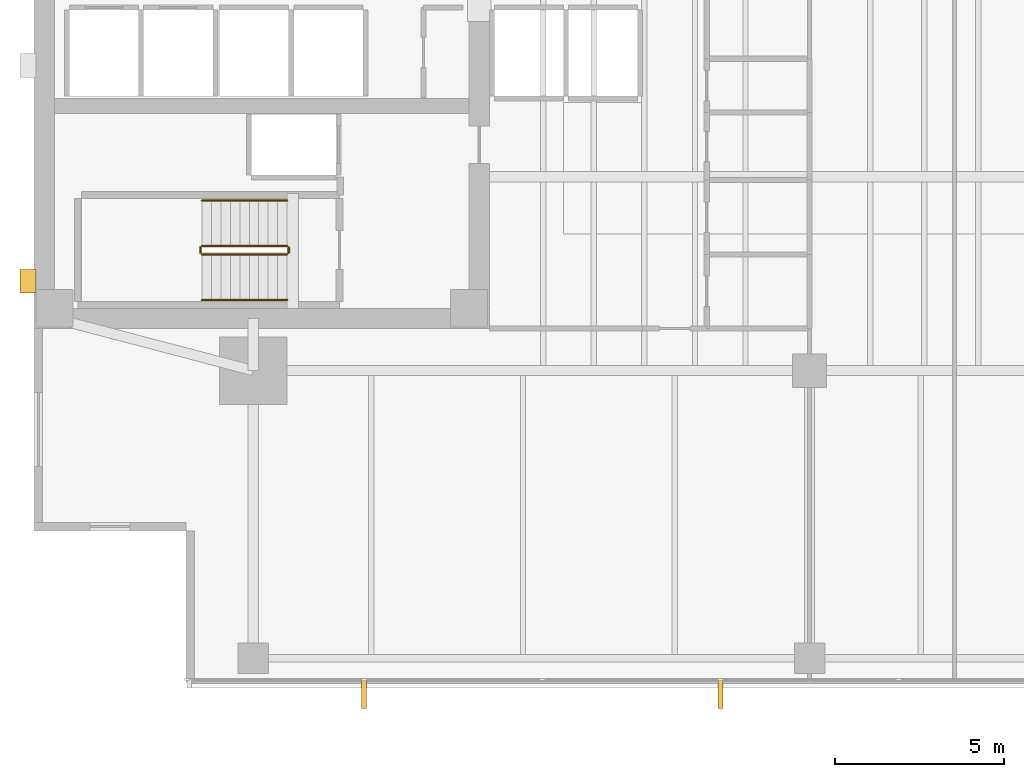
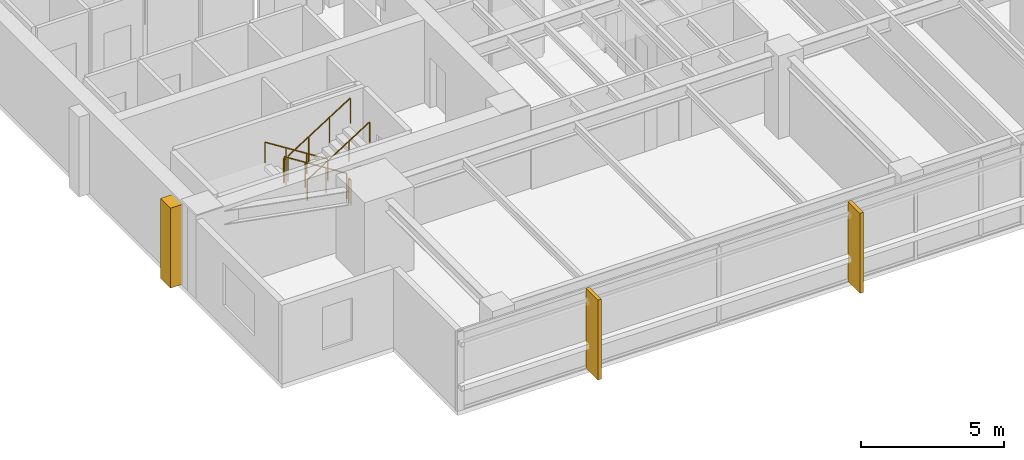
# One storey, part 11 of 14: 6 railings, 3 coverings.
"""IFC4 building model written with IfcOpenShell, lengths in metres."""

from ifc_helpers import new_model, si_unit, direction, frame, origin, origin_2d, place, context, subcontext, project, spatial, polyline, circle, outline, extrude, material, layer, layer_set, type_object, element, save


model = new_model("IFC4")

# Units and contexts
model_context = context("Model", 3, precision=1e-05, world=origin(), true_north=direction((0.0, 1.0)))
body_context = subcontext(model_context, "Body", "Model", "MODEL_VIEW")
ifc_project = project(units=[si_unit("LENGTHUNIT", "METRE"), si_unit("AREAUNIT", "SQUARE_METRE"), si_unit("VOLUMEUNIT", "CUBIC_METRE"), si_unit("PLANEANGLEUNIT", "RADIAN"), si_unit("MASSUNIT", "GRAM", prefix="KILO")], contexts=[model_context])

# Site, building, storey
site_placement = place(None, origin())
site = spatial("IfcSite", under=ifc_project, at=site_placement, CompositionType="ELEMENT")
building_placement = place(site_placement, origin())
building = spatial("IfcBuilding", under=site, at=building_placement, Name="Kinhvarn Gate Tower", CompositionType="ELEMENT")
storey_placement = place(building_placement, frame((0.0, 0.0, 102.25)))
storey = spatial("IfcBuildingStorey", under=building, at=storey_placement, Name="L26", CompositionType="ELEMENT", Elevation=102.25)

# Coverings
ifc_material_1 = material(Name="Fired architectural terracotta", Category="masonry")
ifc_layer_1 = layer(ifc_material_1, 0.139892578125)
ifc_layer_set_1 = layer_set([ifc_layer_1], Name="Fired architectural terracotta")
covering_type_1 = type_object("IfcCoveringType", Name="COV-FIN-850", PredefinedType="CLADDING", material=ifc_layer_set_1)
covering_1_placement = place(storey_placement, frame((0.0, 0.0, -0.02001953125)))
element("IfcCovering", 1, at=covering_1_placement, inside=storey, type_object=covering_type_1, Name="Vertical Terracotta Expressive Fin TFN-850 (L26)", PredefinedType="CLADDING", context=body_context, shape_type="SweptSolid", body=[
    extrude(outline(polyline([(14.2158203125, 3.580078125), (14.355712890625, 3.580078125), (14.355712890625, 2.72998046875), (14.2158203125, 2.72998046875), (14.2158203125, 3.580078125)])), origin(), (0.0, 0.0, 1.0), 3.409912109375),
])
covering_2_placement = place(storey_placement, frame((0.0, 0.0, -0.02001953125)))
element("IfcCovering", 2, at=covering_2_placement, inside=storey, type_object=covering_type_1, Name="Vertical Terracotta Expressive Fin TFN-850 (L26)", PredefinedType="CLADDING", context=body_context, shape_type="SweptSolid", body=[
    extrude(outline(polyline([(24.787109375, 3.580078125), (24.927001953125, 3.580078125), (24.927001953125, 2.72998046875), (24.787109375, 2.72998046875), (24.787109375, 3.580078125)])), origin(), (0.0, 0.0, 1.0), 3.409912109375),
])
ifc_material_2 = material(Name="Precast white architectural concrete C40/50", Category="concrete")
ifc_layer_2 = layer(ifc_material_2, 0.47998046875)
ifc_layer_set_2 = layer_set([ifc_layer_2], Name="Precast white architectural concrete C40/50")
covering_type_2 = type_object("IfcCoveringType", Name="COV-RIB-450", PredefinedType="CLADDING", material=ifc_layer_set_2)
covering_3_placement = place(storey_placement, frame((0.0, 0.0, -0.02001953125)))
element("IfcCovering", 3, at=covering_3_placement, inside=storey, type_object=covering_type_2, Name="West Core Sculptural Concrete Relief Rib CRB-450 (L26)", PredefinedType="CLADDING", context=body_context, shape_type="SweptSolid", body=[
    extrude(outline(polyline([(4.080078125, 15.050048828125), (4.56005859375, 15.050048828125), (4.56005859375, 15.75), (4.080078125, 15.75), (4.080078125, 15.050048828125)])), origin(), (0.0, 0.0, 1.0), 3.409912109375),
])

# Railings
ifc_material_3 = material(Name="Steel S355", Category="steel")
railing_type_1 = type_object("IfcRailingType", Name="RL-ST-GRD", PredefinedType="BALUSTRADE", material=ifc_material_3)
railing_1_placement = place(storey_placement, frame((12.0, 16.449951171875, 0.177490234375)))
element("IfcRailing", 4, at=railing_1_placement, inside=storey, type_object=railing_type_1, Name="L26 ST1 stair guard 1", PredefinedType="BALUSTRADE", context=body_context, shape_type="SweptSolid", body=[
    extrude(circle(Radius=0.02392578125, at=origin_2d()), frame((0.0, 0.0, 1.076171875), z_axis=(-0.84460694969, 0.0, 0.535386869969), x_axis=(0.0, -1.0, 0.0)), (0.0, 0.0, 1.0), 2.983642578125),
    extrude(circle(Radius=0.02099609375, at=origin_2d()), origin(), (0.0, 0.0, 1.0), 1.052001953125),
    extrude(circle(Radius=0.02099609375, at=origin_2d()), frame((-0.840087890625, 0.0, 0.532470703125)), (0.0, 0.0, 1.0), 1.052001953125),
    extrude(circle(Radius=0.02099609375, at=origin_2d()), frame((-1.679931640625, 0.0, 1.06494140625)), (0.0, 0.0, 1.0), 1.052001953125),
    extrude(circle(Radius=0.02099609375, at=origin_2d()), frame((-2.52001953125, 0.0, 1.597412109375)), (0.0, 0.0, 1.0), 1.052001953125),
])
railing_2_placement = place(storey_placement, frame((9.429931640625, 16.39990234375, 1.77490234375)))
element("IfcRailing", 5, at=railing_2_placement, inside=storey, type_object=railing_type_1, Name="L26 ST1 stair guard 2", PredefinedType="BALUSTRADE", context=body_context, shape_type="SweptSolid", body=[
    extrude(circle(Radius=0.02392578125, at=origin_2d()), frame((0.0, 0.0, 1.076171875), z_axis=(0.0, -1.0, 0.0), x_axis=(1.0, 0.0, 0.0)), (0.0, 0.0, 1.0), 0.14990234375),
    extrude(circle(Radius=0.02099609375, at=origin_2d()), origin(), (0.0, 0.0, 1.0), 1.052001953125),
    extrude(circle(Radius=0.02099609375, at=origin_2d()), frame((0.0, -0.14990234375, 0.0)), (0.0, 0.0, 1.0), 1.052001953125),
])
railing_3_placement = place(storey_placement, frame((9.47998046875, 16.199951171875, 1.952392578125)))
element("IfcRailing", 6, at=railing_3_placement, inside=storey, type_object=railing_type_1, Name="L26 ST1 stair guard 3", PredefinedType="BALUSTRADE", context=body_context, shape_type="SweptSolid", body=[
    extrude(circle(Radius=0.02392578125, at=origin_2d()), frame((0.0, 0.0, 1.076171875), z_axis=(0.84456994832, 0.0, 0.535445237532), x_axis=(0.0, 1.0, 0.0)), (0.0, 0.0, 1.0), 2.98388671875),
    extrude(circle(Radius=0.02099609375, at=origin_2d()), origin(), (0.0, 0.0, 1.0), 1.052001953125),
    extrude(circle(Radius=0.02099609375, at=origin_2d()), frame((0.840087890625, 0.0, 0.532470703125)), (0.0, 0.0, 1.0), 1.052001953125),
    extrude(circle(Radius=0.02099609375, at=origin_2d()), frame((1.679931640625, 0.0, 1.065185546875)), (0.0, 0.0, 1.0), 1.052001953125),
    extrude(circle(Radius=0.02099609375, at=origin_2d()), frame((2.52001953125, 0.0, 1.59765625)), (0.0, 0.0, 1.0), 1.052001953125),
])
railing_4_placement = place(storey_placement, frame((12.050048828125, 16.39990234375, 0.0)))
element("IfcRailing", 7, at=railing_4_placement, inside=storey, type_object=railing_type_1, Name="L26 ST1 stair guard 4", PredefinedType="BALUSTRADE", context=body_context, shape_type="SweptSolid", body=[
    extrude(circle(Radius=0.02392578125, at=origin_2d()), frame((0.0, 0.0, 1.076171875), z_axis=(0.0, -1.0, 0.0), x_axis=(1.0, 0.0, 0.0)), (0.0, 0.0, 1.0), 0.14990234375),
    extrude(circle(Radius=0.02099609375, at=origin_2d()), origin(), (0.0, 0.0, 1.0), 1.052001953125),
    extrude(circle(Radius=0.02099609375, at=origin_2d()), frame((0.0, -0.14990234375, 0.0)), (0.0, 0.0, 1.0), 1.052001953125),
])
railing_type_2 = type_object("IfcRailingType", Name="RL-ST-HND", PredefinedType="HANDRAIL", material=ifc_material_3)
railing_5_placement = place(storey_placement, frame((12.0, 17.800048828125, 0.177490234375)))
element("IfcRailing", 8, at=railing_5_placement, inside=storey, type_object=railing_type_2, Name="L26 ST1 stair handrail 1", PredefinedType="HANDRAIL", context=body_context, shape_type="SweptSolid", body=[
    extrude(circle(Radius=0.02392578125, at=origin_2d()), frame((0.0, 0.0, 0.8759765625), z_axis=(-0.84460694969, 0.0, 0.535386869969), x_axis=(0.0, -1.0, 0.0)), (0.0, 0.0, 1.0), 2.983642578125),
    extrude(circle(Radius=0.02099609375, at=origin_2d()), origin(), (0.0, 0.0, 1.0), 0.851806640625),
    extrude(circle(Radius=0.02099609375, at=origin_2d()), frame((-0.840087890625, 0.0, 0.532470703125)), (0.0, 0.0, 1.0), 0.851806640625),
    extrude(circle(Radius=0.02099609375, at=origin_2d()), frame((-1.679931640625, 0.0, 1.06494140625)), (0.0, 0.0, 1.0), 0.851806640625),
    extrude(circle(Radius=0.02099609375, at=origin_2d()), frame((-2.52001953125, 0.0, 1.597412109375)), (0.0, 0.0, 1.0), 0.851806640625),
])
railing_6_placement = place(storey_placement, frame((9.47998046875, 14.85009765625, 1.952392578125)))
element("IfcRailing", 9, at=railing_6_placement, inside=storey, type_object=railing_type_2, Name="L26 ST1 stair handrail 2", PredefinedType="HANDRAIL", context=body_context, shape_type="SweptSolid", body=[
    extrude(circle(Radius=0.02392578125, at=origin_2d()), frame((0.0, 0.0, 0.8759765625), z_axis=(0.84456994832, 0.0, 0.535445237532), x_axis=(0.0, 1.0, 0.0)), (0.0, 0.0, 1.0), 2.98388671875),
    extrude(circle(Radius=0.02099609375, at=origin_2d()), origin(), (0.0, 0.0, 1.0), 0.851806640625),
    extrude(circle(Radius=0.02099609375, at=origin_2d()), frame((0.840087890625, 0.0, 0.532470703125)), (0.0, 0.0, 1.0), 0.851806640625),
    extrude(circle(Radius=0.02099609375, at=origin_2d()), frame((1.679931640625, 0.0, 1.065185546875)), (0.0, 0.0, 1.0), 0.851806640625),
    extrude(circle(Radius=0.02099609375, at=origin_2d()), frame((2.52001953125, 0.0, 1.59765625)), (0.0, 0.0, 1.0), 0.851806640625),
])

save(model, "model.ifc")
